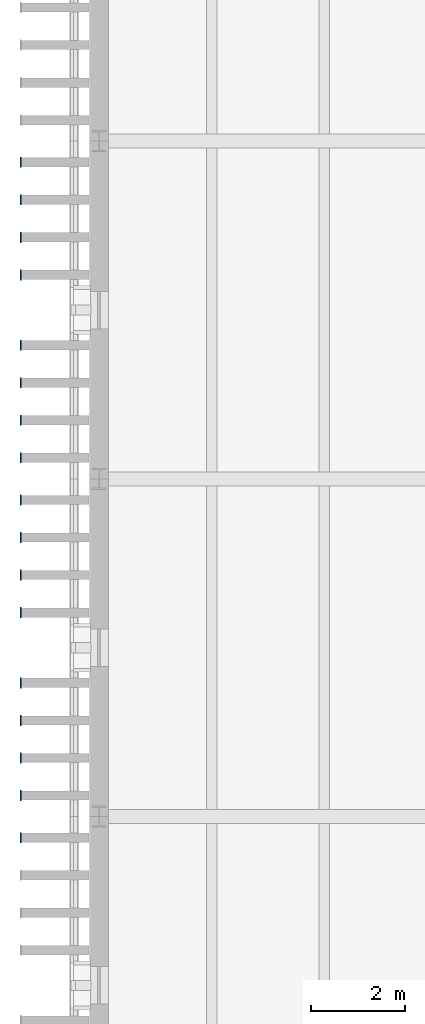
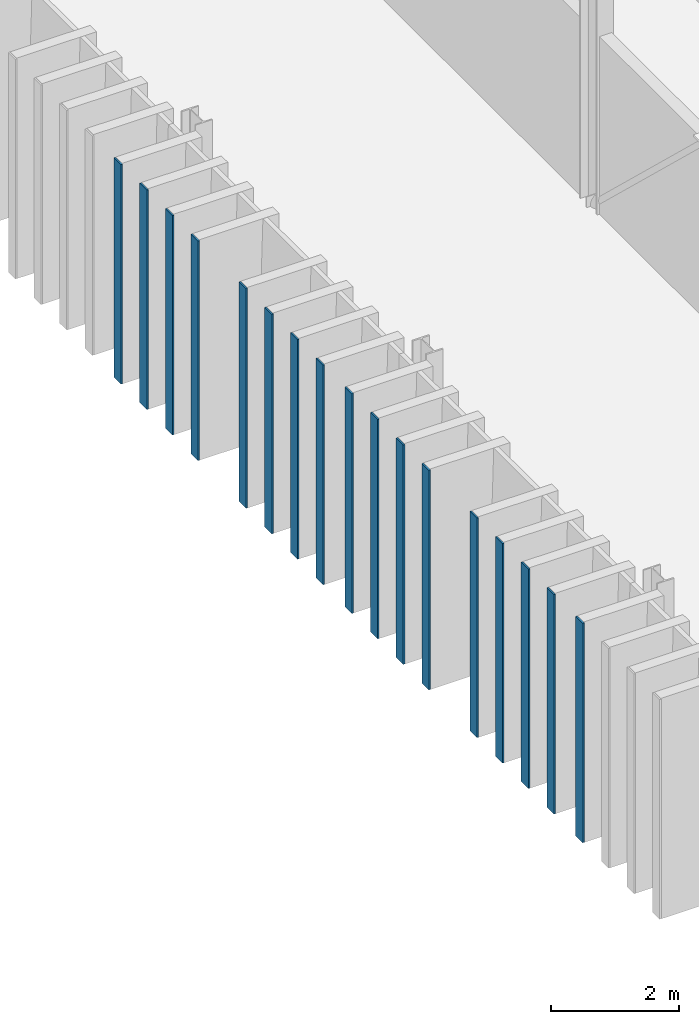
# One storey, part 41 of 91: 17 plates.
"""IFC4 building model written with IfcOpenShell, lengths in metres."""

from ifc_helpers import new_model, si_unit, direction, frame, origin, origin_2d, place, context, subcontext, project, spatial, rectangle, extrude, material, layer, layer_set, type_object, element, save


model = new_model("IFC4")

# Units and contexts
model_context = context("Model", 3, precision=1e-05, world=origin(), true_north=direction((0.0, 1.0)))
body_context = subcontext(model_context, "Body", "Model", "MODEL_VIEW")
ifc_project = project(units=[si_unit("LENGTHUNIT", "METRE"), si_unit("AREAUNIT", "SQUARE_METRE"), si_unit("VOLUMEUNIT", "CUBIC_METRE"), si_unit("PLANEANGLEUNIT", "RADIAN"), si_unit("MASSUNIT", "GRAM", prefix="KILO")], contexts=[model_context])

# Site, building, storey
site_placement = place(None, origin())
site = spatial("IfcSite", under=ifc_project, at=site_placement, CompositionType="ELEMENT")
building_placement = place(site_placement, origin())
building = spatial("IfcBuilding", under=site, at=building_placement, Name="Narikvali Park Central Library", CompositionType="ELEMENT")
storey_placement = place(building_placement, frame((0.0, 0.0, 14.39990234375)))
storey = spatial("IfcBuildingStorey", under=building, at=storey_placement, Name="L03", CompositionType="ELEMENT", Elevation=14.39990234375)

# Plates
ifc_material = material(Name="Anodised Bronze Aluminium", Category="aluminium")
ifc_layer = layer(ifc_material, 0.028076171875, Name="Anodised Bronze Aluminium")
ifc_layer_set = layer_set([ifc_layer], Name="Anodised Bronze Aluminium")
plate_type = type_object("IfcPlateType", Name="Vertical Brick Fin Bronze Bullnose Cap 28", PredefinedType="SHEET", material=ifc_layer_set)
for number, where, z_axis, x_axis, name in (
    (1, (-1.672119140625, 64.35009765625, 0.01025390625), (0.0, 0.0, 1.0), (1.0, 0.0, 0.0), "West Stacks Fin Bullnose Trim 214"),
    (2, (-1.672119140625, 65.25, 0.01025390625), (0.0, 0.0, 1.0), (1.0, 0.0, 0.0), "West Stacks Fin Bullnose Trim 220"),
    (3, (-1.672119140625, 66.050048828125, 0.01025390625), (0.0, 0.0, 1.0), (1.0, 0.0, 0.0), "West Stacks Fin Bullnose Trim 226"),
    (4, (-1.672119140625, 66.85009765625, 0.01025390625), (0.0, 0.0, 1.0), (1.0, 0.0, 0.0), "West Stacks Fin Bullnose Trim 232"),
    (5, (-1.672119140625, 67.64990234375, 0.01025390625), (0.0, 0.0, 1.0), (1.0, 0.0, 0.0), "West Stacks Fin Bullnose Trim 238"),
    (6, (-1.672119140625, 69.14990234375, 0.01025390625), (0.0, 0.0, 1.0), (1.0, 0.0, 0.0), "West Stacks Fin Bullnose Trim 244"),
    (7, (-1.672119140625, 69.949951171875, 0.01025390625), (0.0, 0.0, 1.0), (1.0, 0.0, 0.0), "West Stacks Fin Bullnose Trim 250"),
    (8, (-1.672119140625, 70.75, 0.01025390625), (0.0, 0.0, 1.0), (1.0, 0.0, 0.0), "West Stacks Fin Bullnose Trim 256"),
    (9, (-1.672119140625, 71.550048828125, 0.01025390625), (0.0, 0.0, 1.0), (1.0, 0.0, 0.0), "West Stacks Fin Bullnose Trim 262"),
    (10, (-1.672119140625, 72.449951171875, 0.01025390625), (0.0, 0.0, 1.0), (1.0, 0.0, 0.0), "West Stacks Fin Bullnose Trim 268"),
    (11, (-1.672119140625, 73.25, 0.01025390625), (0.0, 0.0, 1.0), (1.0, 0.0, 0.0), "West Stacks Fin Bullnose Trim 274"),
    (12, (-1.672119140625, 74.050048828125, 0.01025390625), (0.0, 0.0, 1.0), (1.0, 0.0, 0.0), "West Stacks Fin Bullnose Trim 280"),
    (13, (-1.672119140625, 74.85009765625, 0.01025390625), (0.0, 0.0, 1.0), (1.0, 0.0, 0.0), "West Stacks Fin Bullnose Trim 286"),
    (14, (-1.672119140625, 76.35009765625, 0.01025390625), (0.0, 0.0, 1.0), (1.0, 0.0, 0.0), "West Stacks Fin Bullnose Trim 292"),
    (15, (-1.672119140625, 77.14990234375, 0.01025390625), (0.0, 0.0, 1.0), (1.0, 0.0, 0.0), "West Stacks Fin Bullnose Trim 298"),
    (16, (-1.672119140625, 77.949951171875, 0.01025390625), (0.0, 0.0, 1.0), (1.0, 0.0, 0.0), "West Stacks Fin Bullnose Trim 304"),
    (17, (-1.672119140625, 78.75, 0.01025390625), (0.0, 0.0, 1.0), (1.0, 0.0, 0.0), "West Stacks Fin Bullnose Trim 310"),
):
    element("IfcPlate", number, at=place(storey_placement, frame(where, z_axis=z_axis, x_axis=x_axis)), inside=storey, type_object=plate_type, Name=name, PredefinedType="SHEET", context=body_context, shape_type="SweptSolid", body=[
        extrude(rectangle(XDim=0.028076171875, YDim=0.219970703125, at=origin_2d()), origin(), (0.0, 0.0, 1.0), 4.179931640625),
    ])

save(model, "model.ifc")
